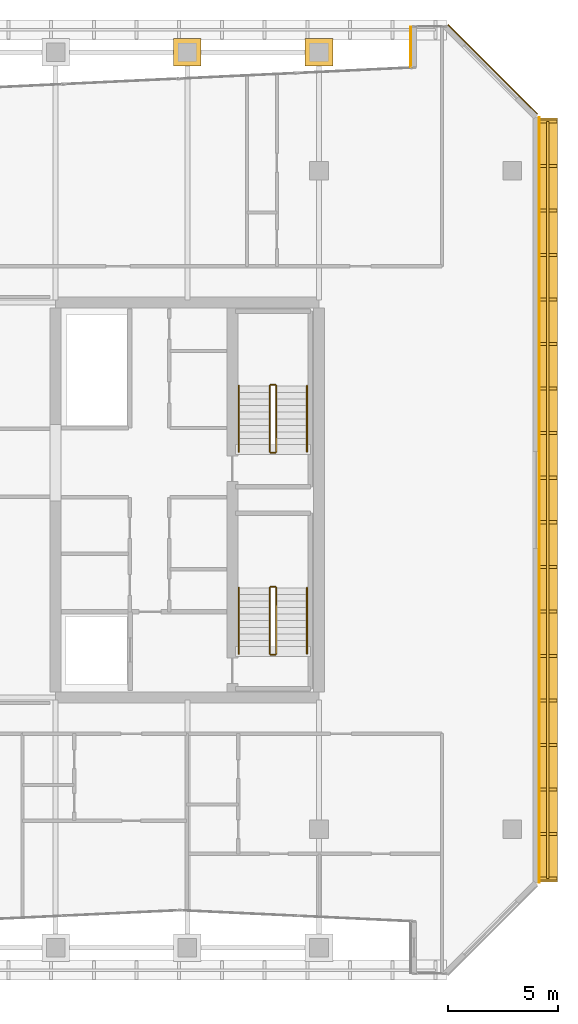
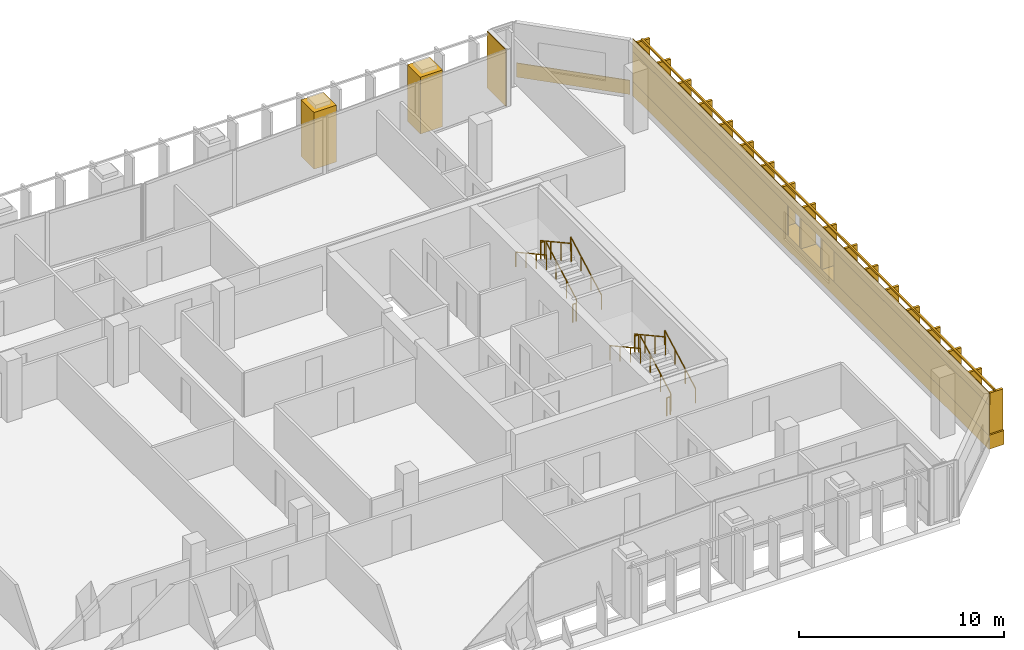
# One storey, part 29 of 29: 13 railings, 8 coverings.
"""IFC4 building model written with IfcOpenShell, lengths in metres."""

from ifc_helpers import new_model, si_unit, direction, frame, origin, origin_2d, place, context, subcontext, project, spatial, rectangle, extrude, material, layer, layer_set, type_object, element, save


model = new_model("IFC4")

# Units and contexts
model_context = context("Model", 3, precision=1e-05, world=origin(), true_north=direction((0.0, 1.0)))
body_context = subcontext(model_context, "Body", "Model", "MODEL_VIEW")
ifc_project = project(units=[si_unit("LENGTHUNIT", "METRE"), si_unit("AREAUNIT", "SQUARE_METRE"), si_unit("VOLUMEUNIT", "CUBIC_METRE"), si_unit("PLANEANGLEUNIT", "RADIAN"), si_unit("MASSUNIT", "GRAM", prefix="KILO")], contexts=[model_context])

# Site, building, storey
site_placement = place(None, origin())
site = spatial("IfcSite", under=ifc_project, at=site_placement, CompositionType="ELEMENT")
building_placement = place(site_placement, origin())
building = spatial("IfcBuilding", under=site, at=building_placement, Name="Tanjung Sevakor Pilgrim Tower", CompositionType="ELEMENT")
storey_placement = place(building_placement, frame((0.0, 0.0, 162.030029296875)))
storey = spatial("IfcBuildingStorey", under=building, at=storey_placement, Name="L45", CompositionType="ELEMENT", Elevation=162.030029296875)

# Coverings
ifc_material_1 = material(Name="Reconstructed Limestone Cladding", Category="masonry")
ifc_layer = layer(ifc_material_1, 0.044921875)
ifc_layer_set = layer_set([ifc_layer], Name="COV-CLAD-LIMESTONE")
covering_type = type_object("IfcCoveringType", Name="COV-CLAD-LIMESTONE", PredefinedType="CLADDING", material=ifc_layer_set)
covering_1_placement = place(storey_placement, frame((100.429931640625, 33.60009765625, 0.009765625), z_axis=(0.0, 0.0, 1.0), x_axis=(0.0, 1.0, 0.0)))
element("IfcCovering", 1, at=covering_1_placement, inside=storey, type_object=covering_type, Name="L45 Warm Limestone Sill Spandrel EW-L45-MAIN-17-1", PredefinedType="CLADDING", context=body_context, shape_type="SweptSolid", body=[
    extrude(rectangle(XDim=34.81640625, YDim=0.860107421875, at=origin_2d()), origin(), (0.0, 0.0, 1.0), 0.840087890625),
])
covering_2_placement = place(storey_placement, frame((100.0224609375, 33.60009765625, 2.66015625), z_axis=(0.0, 0.0, 1.0), x_axis=(0.0, 1.0, 0.0)))
element("IfcCovering", 2, at=covering_2_placement, inside=storey, type_object=covering_type, Name="L45 Warm Limestone Cornice Spandrel EW-L45-MAIN-17", PredefinedType="CLADDING", context=body_context, shape_type="SweptSolid", body=[
    extrude(rectangle(XDim=34.8564453125, YDim=0.044921875, at=origin_2d()), origin(), (0.0, 0.0, 1.0), 0.739990234375),
])
for number, where, z_axis, x_axis, name in (
    (3, (100.0224609375, 23.77099609375, 0.849853515625), (0.0, 0.0, 1.0), (0.0, 1.0, 0.0), "L45 Warm Limestone Pier Panel EW-L45-MAIN-17-1"),
    (4, (100.0224609375, 43.42919921875, 0.849853515625), (0.0, 0.0, 1.0), (0.0, 1.0, 0.0), "L45 Warm Limestone Pier Panel EW-L45-MAIN-17-2"),
):
    element("IfcCovering", number, at=place(storey_placement, frame(where, z_axis=z_axis, x_axis=x_axis)), inside=storey, type_object=covering_type, Name=name, PredefinedType="CLADDING", context=body_context, shape_type="SweptSolid", body=[
        extrude(rectangle(XDim=15.158203125, YDim=0.044921875, at=origin_2d()), origin(), (0.0, 0.0, 1.0), 1.81005859375),
    ])
covering_3_placement = place(storey_placement, frame((97.916015625, 53.2158203125, 0.009765625), z_axis=(0.0, 0.0, 1.0), x_axis=(-0.707106781187, 0.707106781187, 0.0)))
element("IfcCovering", 5, at=covering_3_placement, inside=storey, type_object=covering_type, Name="L45 Warm Limestone Sill Spandrel EW-CHM-L45-MAIN-17-1", PredefinedType="CLADDING", context=body_context, shape_type="SweptSolid", body=[
    extrude(rectangle(XDim=5.756103515625, YDim=0.044921875, at=origin_2d()), origin(), (0.0, 0.0, 1.0), 0.840087890625),
])
covering_4_placement = place(storey_placement, frame((94.177490234375, 54.23779296875, 0.02001953125), z_axis=(0.0, 0.0, 1.0), x_axis=(0.0, -1.0, 0.0)))
element("IfcCovering", 6, at=covering_4_placement, inside=storey, type_object=covering_type, Name="L45 Warm Limestone Wall Cladding EW-L45-MAIN-20", PredefinedType="CLADDING", context=body_context, shape_type="SweptSolid", body=[
    extrude(rectangle(XDim=1.834228515625, YDim=0.044921875, at=origin_2d()), origin(), (0.0, 0.0, 1.0), 3.3701171875),
])
for number, where, z_axis, x_axis, name in (
    (7, (84.0, 54.0, 0.01025390625), (0.0, 0.0, 1.0), (1.0, 0.0, 0.0), "L45 Colonnade Pier Limestone Casing 40"),
    (8, (90.0, 54.0, 0.01025390625), (0.0, 0.0, 1.0), (1.0, 0.0, 0.0), "L45 Colonnade Pier Limestone Casing 42"),
):
    element("IfcCovering", number, at=place(storey_placement, frame(where, z_axis=z_axis, x_axis=x_axis)), inside=storey, type_object=covering_type, Name=name, PredefinedType="CLADDING", context=body_context, shape_type="SweptSolid", body=[
        extrude(rectangle(XDim=1.260009765625, YDim=1.260009765625, at=origin_2d()), origin(), (0.0, 0.0, 1.0), 3.389892578125),
    ])

# Railings
ifc_material_2 = material(Name="Anodised Bronze Aluminium 6063-T6", Category="aluminium")
railing_type_1 = type_object("IfcRailingType", Name="RL-FIN-SCREEN", PredefinedType="BALUSTRADE", material=ifc_material_2)
railing_1_placement = place(storey_placement, frame((100.425048828125, 16.351806640625, 0.840087890625)))
element("IfcRailing", 9, at=railing_1_placement, inside=storey, type_object=railing_type_1, Name="L45 Vertical Bronze-Gold Solar Fin Screen FNEND-EW-L45-MAIN-17-1", PredefinedType="BALUSTRADE", context=body_context, shape_type="SweptSolid", body=[
    extrude(rectangle(XDim=0.105, YDim=0.105), frame((0.0, 0.0, 2.487548828125), z_axis=(0.0, 1.0, 0.0), x_axis=(-1.0, 0.0, 0.0)), (0.0, 0.0, 1.0), 34.496337890625),
    extrude(rectangle(XDim=0.85, YDim=0.14), origin(), (0.0, 0.0, 1.0), 2.43505859375),
    extrude(rectangle(XDim=0.85, YDim=0.14), frame((0.0, 2.029296875, 0.0)), (0.0, 0.0, 1.0), 2.43505859375),
    extrude(rectangle(XDim=0.85, YDim=0.14), frame((0.0, 4.058349609375, 0.0)), (0.0, 0.0, 1.0), 2.43505859375),
    extrude(rectangle(XDim=0.85, YDim=0.14), frame((0.0, 6.087646484375, 0.0)), (0.0, 0.0, 1.0), 2.43505859375),
    extrude(rectangle(XDim=0.85, YDim=0.14), frame((0.0, 8.11669921875, 0.0)), (0.0, 0.0, 1.0), 2.43505859375),
    extrude(rectangle(XDim=0.85, YDim=0.14), frame((0.0, 10.14599609375, 0.0)), (0.0, 0.0, 1.0), 2.43505859375),
    extrude(rectangle(XDim=0.85, YDim=0.14), frame((0.0, 12.17529296875, 0.0)), (0.0, 0.0, 1.0), 2.43505859375),
    extrude(rectangle(XDim=0.85, YDim=0.14), frame((0.0, 14.204345703125, 0.0)), (0.0, 0.0, 1.0), 2.43505859375),
    extrude(rectangle(XDim=0.85, YDim=0.14), frame((0.0, 16.233642578125, 0.0)), (0.0, 0.0, 1.0), 2.43505859375),
    extrude(rectangle(XDim=0.85, YDim=0.14), frame((0.0, 18.2626953125, 0.0)), (0.0, 0.0, 1.0), 2.43505859375),
    extrude(rectangle(XDim=0.85, YDim=0.14), frame((0.0, 20.2919921875, 0.0)), (0.0, 0.0, 1.0), 2.43505859375),
    extrude(rectangle(XDim=0.85, YDim=0.14), frame((0.0, 22.321044921875, 0.0)), (0.0, 0.0, 1.0), 2.43505859375),
    extrude(rectangle(XDim=0.85, YDim=0.14), frame((0.0, 24.350341796875, 0.0)), (0.0, 0.0, 1.0), 2.43505859375),
    extrude(rectangle(XDim=0.85, YDim=0.14), frame((0.0, 26.379638671875, 0.0)), (0.0, 0.0, 1.0), 2.43505859375),
    extrude(rectangle(XDim=0.85, YDim=0.14), frame((0.0, 28.40869140625, 0.0)), (0.0, 0.0, 1.0), 2.43505859375),
    extrude(rectangle(XDim=0.85, YDim=0.14), frame((0.0, 30.43798828125, 0.0)), (0.0, 0.0, 1.0), 2.43505859375),
    extrude(rectangle(XDim=0.85, YDim=0.14), frame((0.0, 32.467041015625, 0.0)), (0.0, 0.0, 1.0), 2.43505859375),
    extrude(rectangle(XDim=0.85, YDim=0.14), frame((0.0, 34.496337890625, 0.0)), (0.0, 0.0, 1.0), 2.43505859375),
])
ifc_material_3 = material(Name="Steel S355J2", Category="steel")
railing_type_2 = type_object("IfcRailingType", Name="RL-STAIR-GUARD", PredefinedType="GUARDRAIL", material=ifc_material_3)
railing_2_placement = place(storey_placement, frame((88.050048828125, 26.60009765625, 0.1650390625)))
element("IfcRailing", 10, at=railing_2_placement, inside=storey, type_object=railing_type_2, Name="L45 TS-E1 stair guard 1", PredefinedType="GUARDRAIL", context=body_context, shape_type="SweptSolid", body=[
    extrude(rectangle(XDim=0.0479, YDim=0.0479), frame((0.0, 0.0, 1.076171875), z_axis=(0.0, 0.876227952683, 0.48189685093), x_axis=(-1.0, 0.0, 0.0)), (0.0, 0.0, 1.0), 3.423828125),
    extrude(rectangle(XDim=0.042, YDim=0.042), origin(), (0.0, 0.0, 1.0), 1.052001953125),
    extrude(rectangle(XDim=0.042, YDim=0.042), frame((0.0, 1.0, 0.550048828125)), (0.0, 0.0, 1.0), 1.052001953125),
    extrude(rectangle(XDim=0.042, YDim=0.042), frame((0.0, 2.0, 1.099853515625)), (0.0, 0.0, 1.0), 1.052001953125),
    extrude(rectangle(XDim=0.042, YDim=0.042), frame((0.0, 3.0, 1.64990234375)), (0.0, 0.0, 1.0), 1.052001953125),
])
railing_3_placement = place(storey_placement, frame((88.0, 29.64990234375, 1.81494140625)))
element("IfcRailing", 11, at=railing_3_placement, inside=storey, type_object=railing_type_2, Name="L45 TS-E1 stair guard 2", PredefinedType="GUARDRAIL", context=body_context, shape_type="SweptSolid", body=[
    extrude(rectangle(XDim=0.0479, YDim=0.0479), frame((0.0, 0.0, 1.076171875), z_axis=(-1.0, 0.0, 0.0), x_axis=(0.0, -1.0, 0.0)), (0.0, 0.0, 1.0), 0.199951171875),
    extrude(rectangle(XDim=0.042, YDim=0.042), origin(), (0.0, 0.0, 1.0), 1.052001953125),
    extrude(rectangle(XDim=0.042, YDim=0.042), frame((-0.199951171875, 0.0, 0.0)), (0.0, 0.0, 1.0), 1.052001953125),
])
railing_4_placement = place(storey_placement, frame((87.75, 29.60009765625, 1.97998046875)))
element("IfcRailing", 12, at=railing_4_placement, inside=storey, type_object=railing_type_2, Name="L45 TS-E1 stair guard 3", PredefinedType="GUARDRAIL", context=body_context, shape_type="SweptSolid", body=[
    extrude(rectangle(XDim=0.0479, YDim=0.0479), frame((0.0, 0.0, 1.076171875), z_axis=(0.0, -0.876227952683, 0.48189685093), x_axis=(1.0, 0.0, 0.0)), (0.0, 0.0, 1.0), 3.423828125),
    extrude(rectangle(XDim=0.042, YDim=0.042), origin(), (0.0, 0.0, 1.0), 1.052001953125),
    extrude(rectangle(XDim=0.042, YDim=0.042), frame((0.0, -1.0, 0.550048828125)), (0.0, 0.0, 1.0), 1.052001953125),
    extrude(rectangle(XDim=0.042, YDim=0.042), frame((0.0, -2.0, 1.099853515625)), (0.0, 0.0, 1.0), 1.052001953125),
    extrude(rectangle(XDim=0.042, YDim=0.042), frame((0.0, -3.0, 1.64990234375)), (0.0, 0.0, 1.0), 1.052001953125),
])
railing_5_placement = place(storey_placement, frame((88.0, 26.550048828125, 0.0)))
element("IfcRailing", 13, at=railing_5_placement, inside=storey, type_object=railing_type_2, Name="L45 TS-E1 stair guard 4", PredefinedType="GUARDRAIL", context=body_context, shape_type="SweptSolid", body=[
    extrude(rectangle(XDim=0.0479, YDim=0.0479), frame((0.0, 0.0, 1.076171875), z_axis=(-1.0, 0.0, 0.0), x_axis=(0.0, -1.0, 0.0)), (0.0, 0.0, 1.0), 0.199951171875),
    extrude(rectangle(XDim=0.042, YDim=0.042), origin(), (0.0, 0.0, 1.0), 1.052001953125),
    extrude(rectangle(XDim=0.042, YDim=0.042), frame((-0.199951171875, 0.0, 0.0)), (0.0, 0.0, 1.0), 1.052001953125),
])
railing_6_placement = place(storey_placement, frame((88.050048828125, 35.800048828125, 0.1650390625)))
element("IfcRailing", 14, at=railing_6_placement, inside=storey, type_object=railing_type_2, Name="L45 TS-E2 stair guard 1", PredefinedType="GUARDRAIL", context=body_context, shape_type="SweptSolid", body=[
    extrude(rectangle(XDim=0.0479, YDim=0.0479), frame((0.0, 0.0, 1.076171875), z_axis=(0.0, 0.876227952683, 0.48189685093), x_axis=(-1.0, 0.0, 0.0)), (0.0, 0.0, 1.0), 3.423828125),
    extrude(rectangle(XDim=0.042, YDim=0.042), origin(), (0.0, 0.0, 1.0), 1.052001953125),
    extrude(rectangle(XDim=0.042, YDim=0.042), frame((0.0, 1.0, 0.550048828125)), (0.0, 0.0, 1.0), 1.052001953125),
    extrude(rectangle(XDim=0.042, YDim=0.042), frame((0.0, 2.0, 1.099853515625)), (0.0, 0.0, 1.0), 1.052001953125),
    extrude(rectangle(XDim=0.042, YDim=0.042), frame((0.0, 3.0, 1.64990234375)), (0.0, 0.0, 1.0), 1.052001953125),
])
railing_7_placement = place(storey_placement, frame((88.0, 38.85009765625, 1.81494140625)))
element("IfcRailing", 15, at=railing_7_placement, inside=storey, type_object=railing_type_2, Name="L45 TS-E2 stair guard 2", PredefinedType="GUARDRAIL", context=body_context, shape_type="SweptSolid", body=[
    extrude(rectangle(XDim=0.0479, YDim=0.0479), frame((0.0, 0.0, 1.076171875), z_axis=(-1.0, 0.0, 0.0), x_axis=(0.0, -1.0, 0.0)), (0.0, 0.0, 1.0), 0.199951171875),
    extrude(rectangle(XDim=0.042, YDim=0.042), origin(), (0.0, 0.0, 1.0), 1.052001953125),
    extrude(rectangle(XDim=0.042, YDim=0.042), frame((-0.199951171875, 0.0, 0.0)), (0.0, 0.0, 1.0), 1.052001953125),
])
railing_8_placement = place(storey_placement, frame((87.75, 38.800048828125, 1.97998046875)))
element("IfcRailing", 16, at=railing_8_placement, inside=storey, type_object=railing_type_2, Name="L45 TS-E2 stair guard 3", PredefinedType="GUARDRAIL", context=body_context, shape_type="SweptSolid", body=[
    extrude(rectangle(XDim=0.0479, YDim=0.0479), frame((0.0, 0.0, 1.076171875), z_axis=(0.0, -0.876227952683, 0.48189685093), x_axis=(1.0, 0.0, 0.0)), (0.0, 0.0, 1.0), 3.423828125),
    extrude(rectangle(XDim=0.042, YDim=0.042), origin(), (0.0, 0.0, 1.0), 1.052001953125),
    extrude(rectangle(XDim=0.042, YDim=0.042), frame((0.0, -1.0, 0.550048828125)), (0.0, 0.0, 1.0), 1.052001953125),
    extrude(rectangle(XDim=0.042, YDim=0.042), frame((0.0, -2.0, 1.099853515625)), (0.0, 0.0, 1.0), 1.052001953125),
    extrude(rectangle(XDim=0.042, YDim=0.042), frame((0.0, -3.0, 1.64990234375)), (0.0, 0.0, 1.0), 1.052001953125),
])
railing_9_placement = place(storey_placement, frame((88.0, 35.75, 0.0)))
element("IfcRailing", 17, at=railing_9_placement, inside=storey, type_object=railing_type_2, Name="L45 TS-E2 stair guard 4", PredefinedType="GUARDRAIL", context=body_context, shape_type="SweptSolid", body=[
    extrude(rectangle(XDim=0.0479, YDim=0.0479), frame((0.0, 0.0, 1.076171875), z_axis=(-1.0, 0.0, 0.0), x_axis=(0.0, -1.0, 0.0)), (0.0, 0.0, 1.0), 0.199951171875),
    extrude(rectangle(XDim=0.042, YDim=0.042), origin(), (0.0, 0.0, 1.0), 1.052001953125),
    extrude(rectangle(XDim=0.042, YDim=0.042), frame((-0.199951171875, 0.0, 0.0)), (0.0, 0.0, 1.0), 1.052001953125),
])
ifc_material_4 = material(Name="Steel S355J2", Category="steel")
railing_type_3 = type_object("IfcRailingType", Name="RL-STAIR-HAND", PredefinedType="HANDRAIL", material=ifc_material_4)
railing_10_placement = place(storey_placement, frame((89.449951171875, 26.60009765625, 0.1650390625)))
element("IfcRailing", 18, at=railing_10_placement, inside=storey, type_object=railing_type_3, Name="L45 TS-E1 stair handrail 1", PredefinedType="HANDRAIL", context=body_context, shape_type="SweptSolid", body=[
    extrude(rectangle(XDim=0.0479, YDim=0.0479), frame((0.0, 0.0, 0.8759765625), z_axis=(0.0, 0.876227952683, 0.48189685093), x_axis=(-1.0, 0.0, 0.0)), (0.0, 0.0, 1.0), 3.423828125),
    extrude(rectangle(XDim=0.042, YDim=0.042), origin(), (0.0, 0.0, 1.0), 0.851806640625),
    extrude(rectangle(XDim=0.042, YDim=0.042), frame((0.0, 1.0, 0.550048828125)), (0.0, 0.0, 1.0), 0.851806640625),
    extrude(rectangle(XDim=0.042, YDim=0.042), frame((0.0, 2.0, 1.099853515625)), (0.0, 0.0, 1.0), 0.851806640625),
    extrude(rectangle(XDim=0.042, YDim=0.042), frame((0.0, 3.0, 1.64990234375)), (0.0, 0.0, 1.0), 0.851806640625),
])
railing_11_placement = place(storey_placement, frame((86.35009765625, 29.60009765625, 1.97998046875)))
element("IfcRailing", 19, at=railing_11_placement, inside=storey, type_object=railing_type_3, Name="L45 TS-E1 stair handrail 2", PredefinedType="HANDRAIL", context=body_context, shape_type="SweptSolid", body=[
    extrude(rectangle(XDim=0.0479, YDim=0.0479), frame((0.0, 0.0, 0.8759765625), z_axis=(0.0, -0.876227952683, 0.48189685093), x_axis=(1.0, 0.0, 0.0)), (0.0, 0.0, 1.0), 3.423828125),
    extrude(rectangle(XDim=0.042, YDim=0.042), origin(), (0.0, 0.0, 1.0), 0.851806640625),
    extrude(rectangle(XDim=0.042, YDim=0.042), frame((0.0, -1.0, 0.550048828125)), (0.0, 0.0, 1.0), 0.851806640625),
    extrude(rectangle(XDim=0.042, YDim=0.042), frame((0.0, -2.0, 1.099853515625)), (0.0, 0.0, 1.0), 0.851806640625),
    extrude(rectangle(XDim=0.042, YDim=0.042), frame((0.0, -3.0, 1.64990234375)), (0.0, 0.0, 1.0), 0.851806640625),
])
railing_12_placement = place(storey_placement, frame((89.449951171875, 35.800048828125, 0.1650390625)))
element("IfcRailing", 20, at=railing_12_placement, inside=storey, type_object=railing_type_3, Name="L45 TS-E2 stair handrail 1", PredefinedType="HANDRAIL", context=body_context, shape_type="SweptSolid", body=[
    extrude(rectangle(XDim=0.0479, YDim=0.0479), frame((0.0, 0.0, 0.8759765625), z_axis=(0.0, 0.876227952683, 0.48189685093), x_axis=(-1.0, 0.0, 0.0)), (0.0, 0.0, 1.0), 3.423828125),
    extrude(rectangle(XDim=0.042, YDim=0.042), origin(), (0.0, 0.0, 1.0), 0.851806640625),
    extrude(rectangle(XDim=0.042, YDim=0.042), frame((0.0, 1.0, 0.550048828125)), (0.0, 0.0, 1.0), 0.851806640625),
    extrude(rectangle(XDim=0.042, YDim=0.042), frame((0.0, 2.0, 1.099853515625)), (0.0, 0.0, 1.0), 0.851806640625),
    extrude(rectangle(XDim=0.042, YDim=0.042), frame((0.0, 3.0, 1.64990234375)), (0.0, 0.0, 1.0), 0.851806640625),
])
railing_13_placement = place(storey_placement, frame((86.35009765625, 38.800048828125, 1.97998046875)))
element("IfcRailing", 21, at=railing_13_placement, inside=storey, type_object=railing_type_3, Name="L45 TS-E2 stair handrail 2", PredefinedType="HANDRAIL", context=body_context, shape_type="SweptSolid", body=[
    extrude(rectangle(XDim=0.0479, YDim=0.0479), frame((0.0, 0.0, 0.8759765625), z_axis=(0.0, -0.876227952683, 0.48189685093), x_axis=(1.0, 0.0, 0.0)), (0.0, 0.0, 1.0), 3.423828125),
    extrude(rectangle(XDim=0.042, YDim=0.042), origin(), (0.0, 0.0, 1.0), 0.851806640625),
    extrude(rectangle(XDim=0.042, YDim=0.042), frame((0.0, -1.0, 0.550048828125)), (0.0, 0.0, 1.0), 0.851806640625),
    extrude(rectangle(XDim=0.042, YDim=0.042), frame((0.0, -2.0, 1.099853515625)), (0.0, 0.0, 1.0), 0.851806640625),
    extrude(rectangle(XDim=0.042, YDim=0.042), frame((0.0, -3.0, 1.64990234375)), (0.0, 0.0, 1.0), 0.851806640625),
])

save(model, "model.ifc")
